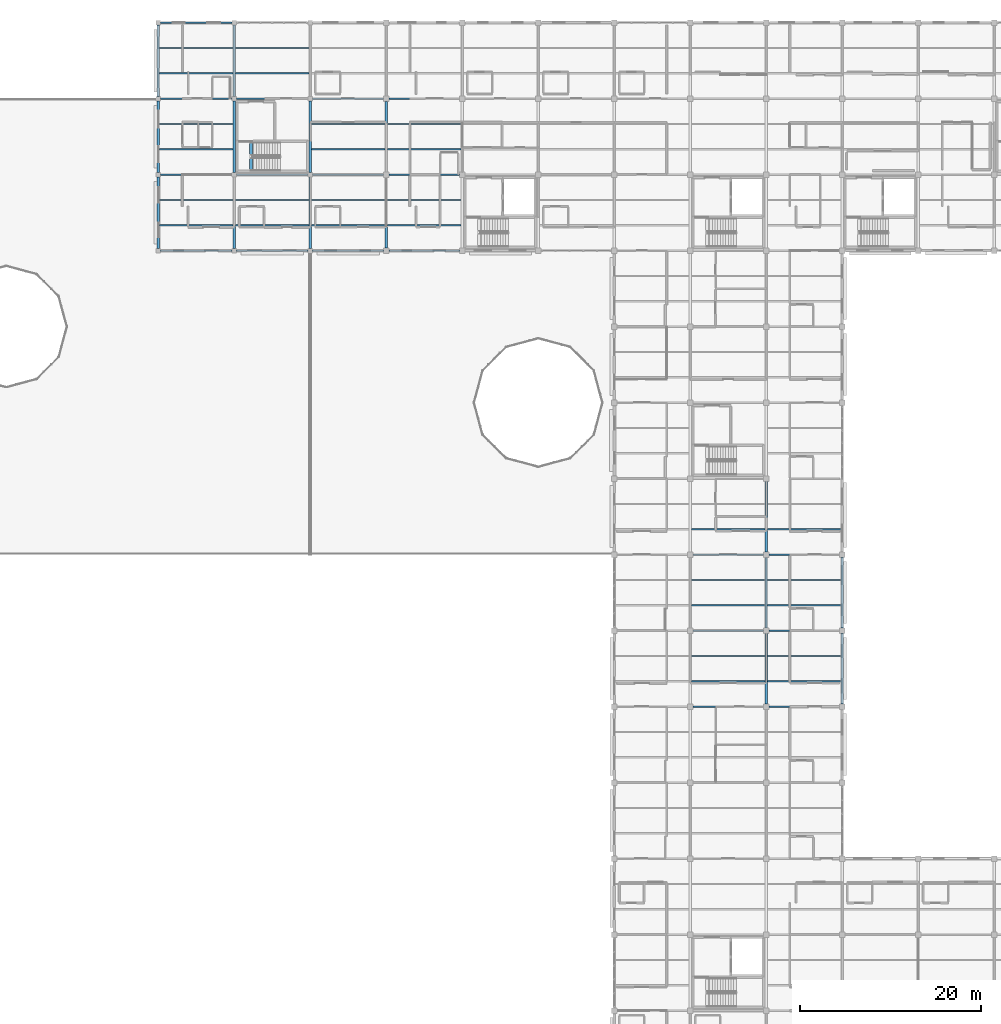
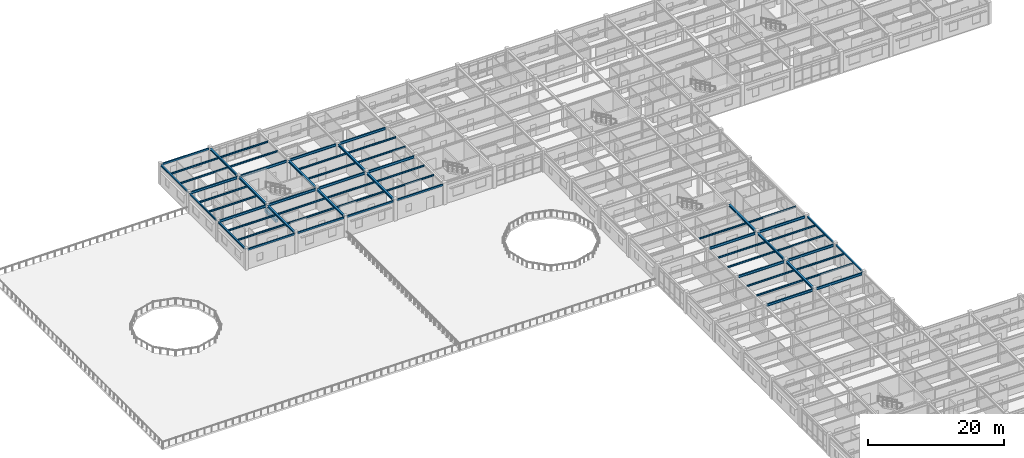
# One storey, part 13 of 86: 63 beams.
"""IFC4 building model written with IfcOpenShell, lengths in metres."""

from ifc_helpers import new_model, si_unit, direction, frame, origin, origin_2d, place, context, subcontext, project, spatial, rectangle, hollow_rectangle, i_section, extrude, material, material_profile, profile_set, type_object, element, save


model = new_model("IFC4")

# Units and contexts
model_context = context("Model", 3, precision=1e-05, world=origin(), true_north=direction((0.0, 1.0)))
body_context = subcontext(model_context, "Body", "Model", "MODEL_VIEW")
ifc_project = project(units=[si_unit("LENGTHUNIT", "METRE"), si_unit("AREAUNIT", "SQUARE_METRE"), si_unit("VOLUMEUNIT", "CUBIC_METRE"), si_unit("PLANEANGLEUNIT", "RADIAN"), si_unit("MASSUNIT", "GRAM", prefix="KILO")], contexts=[model_context])

# Site, building, storey
site_placement = place(None, origin())
site = spatial("IfcSite", under=ifc_project, at=site_placement, CompositionType="ELEMENT")
building_placement = place(site_placement, origin())
building = spatial("IfcBuilding", under=site, at=building_placement, Name="Bramfleet General Hospital", CompositionType="ELEMENT")
storey_placement = place(building_placement, frame((0.0, 0.0, 18.60009765625)))
storey = spatial("IfcBuildingStorey", under=building, at=storey_placement, Name="L04", CompositionType="ELEMENT", Elevation=18.60009765625)

# Beams
ifc_material_1 = material(Name="Steel S355", Category="steel")
ifc_material_profile_1 = material_profile(ifc_material_1, i_section(OverallWidth=0.239990234375, OverallDepth=0.22998046875, WebThickness=0.007568359375, FlangeThickness=0.011962890625, FilletRadius=0.02099609375, at=origin_2d()), Name="HEA 240")
ifc_profile_set_1 = profile_set([ifc_material_profile_1], Name="Steel S355")
beam_type_1 = type_object("IfcBeamType", Name="BM-HEA240", PredefinedType="SPANDREL", material=ifc_profile_set_1)
beam_1_placement = place(storey_placement, frame((42.0, 92.64990234375, 3.494873046875), z_axis=(0.0, 1.0, 0.0), x_axis=(-1.0, 0.0, 0.0)))
element("IfcBeam", 1, at=beam_1_placement, inside=storey, type_object=beam_type_1, Name="L04 Grid Beam Y 05-11", PredefinedType="SPANDREL", context=body_context, shape_type="SweptSolid", body=[
    extrude(i_section(OverallWidth=0.239990234375, OverallDepth=0.22998046875, WebThickness=0.007568359375, FlangeThickness=0.011962890625, FilletRadius=0.02099609375, at=origin_2d()), origin(), (0.0, 0.0, 1.0), 7.900146484375),
])
beam_2_placement = place(storey_placement, frame((42.0, 101.050048828125, 3.494873046875), z_axis=(0.0, 1.0, 0.0), x_axis=(-1.0, 0.0, 0.0)))
element("IfcBeam", 2, at=beam_2_placement, inside=storey, type_object=beam_type_1, Name="L04 Grid Beam Y 05-12", PredefinedType="SPANDREL", context=body_context, shape_type="SweptSolid", body=[
    extrude(i_section(OverallWidth=0.239990234375, OverallDepth=0.22998046875, WebThickness=0.007568359375, FlangeThickness=0.011962890625, FilletRadius=0.02099609375, at=origin_2d()), origin(), (0.0, 0.0, 1.0), 7.89990234375),
])
beam_3_placement = place(storey_placement, frame((42.0, 109.449951171875, 3.494873046875), z_axis=(0.0, 1.0, 0.0), x_axis=(-1.0, 0.0, 0.0)))
element("IfcBeam", 3, at=beam_3_placement, inside=storey, type_object=beam_type_1, Name="L04 Grid Beam Y 05-13", PredefinedType="SPANDREL", context=body_context, shape_type="SweptSolid", body=[
    extrude(i_section(OverallWidth=0.239990234375, OverallDepth=0.22998046875, WebThickness=0.007568359375, FlangeThickness=0.011962890625, FilletRadius=0.02099609375, at=origin_2d()), origin(), (0.0, 0.0, 1.0), 7.900146484375),
])
for number, where, z_axis, x_axis, name in (
    (4, (117.60009765625, 42.300048828125, 3.5048828125), (0.0, 1.0, 0.0), (-1.0, 0.0, 0.0), "L04 Grid Beam Y 14-05"),
    (5, (117.60009765625, 50.699951171875, 3.5048828125), (0.0, 1.0, 0.0), (-1.0, 0.0, 0.0), "L04 Grid Beam Y 14-06"),
):
    element("IfcBeam", number, at=place(storey_placement, frame(where, z_axis=z_axis, x_axis=x_axis)), inside=storey, type_object=beam_type_1, Name=name, PredefinedType="SPANDREL", context=body_context, shape_type="SweptSolid", body=[
        extrude(i_section(OverallWidth=0.239990234375, OverallDepth=0.22998046875, WebThickness=0.007568359375, FlangeThickness=0.011962890625, FilletRadius=0.02099609375, at=origin_2d()), origin(), (0.0, 0.0, 1.0), 7.800048828125),
    ])
ifc_material_profile_2 = material_profile(ifc_material_1, i_section(OverallWidth=0.300048828125, OverallDepth=0.35009765625, WebThickness=0.010009765625, FlangeThickness=0.017578125, FilletRadius=0.027099609375, at=origin_2d()), Name="HEA 360")
ifc_profile_set_2 = profile_set([ifc_material_profile_2], Name="Steel S355")
beam_type_2 = type_object("IfcBeamType", Name="BM-HEA360", PredefinedType="BEAM", material=ifc_profile_set_2)
beam_4_placement = place(storey_placement, frame((50.39990234375, 92.64990234375, 3.434814453125), z_axis=(0.0, 1.0, 0.0), x_axis=(-1.0, 0.0, 0.0)))
element("IfcBeam", 6, at=beam_4_placement, inside=storey, type_object=beam_type_2, Name="L04 Grid Beam Y 06-11", PredefinedType="BEAM", context=body_context, shape_type="SweptSolid", body=[
    extrude(i_section(OverallWidth=0.300048828125, OverallDepth=0.35009765625, WebThickness=0.010009765625, FlangeThickness=0.017578125, FilletRadius=0.027099609375, at=origin_2d()), origin(), (0.0, 0.0, 1.0), 7.900146484375),
])
beam_5_placement = place(storey_placement, frame((50.39990234375, 101.050048828125, 3.434814453125), z_axis=(0.0, 1.0, 0.0), x_axis=(-1.0, 0.0, 0.0)))
element("IfcBeam", 7, at=beam_5_placement, inside=storey, type_object=beam_type_2, Name="L04 Grid Beam Y 06-12", PredefinedType="BEAM", context=body_context, shape_type="SweptSolid", body=[
    extrude(i_section(OverallWidth=0.300048828125, OverallDepth=0.35009765625, WebThickness=0.010009765625, FlangeThickness=0.017578125, FilletRadius=0.027099609375, at=origin_2d()), origin(), (0.0, 0.0, 1.0), 7.89990234375),
])
for number, where, z_axis, x_axis, name in (
    (8, (50.39990234375, 109.449951171875, 3.434814453125), (0.0, 1.0, 0.0), (-1.0, 0.0, 0.0), "L04 Grid Beam Y 06-13"),
    (9, (58.800048828125, 92.64990234375, 3.44482421875), (0.0, 1.0, 0.0), (-1.0, 0.0, 0.0), "L04 Grid Beam Y 07-11"),
):
    element("IfcBeam", number, at=place(storey_placement, frame(where, z_axis=z_axis, x_axis=x_axis)), inside=storey, type_object=beam_type_2, Name=name, PredefinedType="BEAM", context=body_context, shape_type="SweptSolid", body=[
        extrude(i_section(OverallWidth=0.300048828125, OverallDepth=0.35009765625, WebThickness=0.010009765625, FlangeThickness=0.017578125, FilletRadius=0.027099609375, at=origin_2d()), origin(), (0.0, 0.0, 1.0), 7.900146484375),
    ])
beam_6_placement = place(storey_placement, frame((58.800048828125, 101.050048828125, 3.44482421875), z_axis=(0.0, 1.0, 0.0), x_axis=(-1.0, 0.0, 0.0)))
element("IfcBeam", 10, at=beam_6_placement, inside=storey, type_object=beam_type_2, Name="L04 Grid Beam Y 07-12", PredefinedType="BEAM", context=body_context, shape_type="SweptSolid", body=[
    extrude(i_section(OverallWidth=0.300048828125, OverallDepth=0.35009765625, WebThickness=0.010009765625, FlangeThickness=0.017578125, FilletRadius=0.027099609375, at=origin_2d()), origin(), (0.0, 0.0, 1.0), 7.89990234375),
])
beam_7_placement = place(storey_placement, frame((67.199951171875, 92.699951171875, 3.44482421875), z_axis=(0.0, 1.0, 0.0), x_axis=(-1.0, 0.0, 0.0)))
element("IfcBeam", 11, at=beam_7_placement, inside=storey, type_object=beam_type_2, Name="L04 Grid Beam Y 08-11", PredefinedType="BEAM", context=body_context, shape_type="SweptSolid", body=[
    extrude(i_section(OverallWidth=0.300048828125, OverallDepth=0.35009765625, WebThickness=0.010009765625, FlangeThickness=0.017578125, FilletRadius=0.027099609375, at=origin_2d()), origin(), (0.0, 0.0, 1.0), 7.800048828125),
])
beam_8_placement = place(storey_placement, frame((67.199951171875, 101.10009765625, 3.44482421875), z_axis=(0.0, 1.0, 0.0), x_axis=(-1.0, 0.0, 0.0)))
element("IfcBeam", 12, at=beam_8_placement, inside=storey, type_object=beam_type_2, Name="L04 Grid Beam Y 08-12", PredefinedType="BEAM", context=body_context, shape_type="SweptSolid", body=[
    extrude(i_section(OverallWidth=0.300048828125, OverallDepth=0.35009765625, WebThickness=0.010009765625, FlangeThickness=0.017578125, FilletRadius=0.027099609375, at=origin_2d()), origin(), (0.0, 0.0, 1.0), 7.7998046875),
])
for number, where, z_axis, x_axis, name in (
    (13, (109.199951171875, 42.300048828125, 3.44482421875), (0.0, 1.0, 0.0), (-1.0, 0.0, 0.0), "L04 Grid Beam Y 13-05"),
    (14, (109.199951171875, 50.699951171875, 3.44482421875), (0.0, 1.0, 0.0), (-1.0, 0.0, 0.0), "L04 Grid Beam Y 13-06"),
):
    element("IfcBeam", number, at=place(storey_placement, frame(where, z_axis=z_axis, x_axis=x_axis)), inside=storey, type_object=beam_type_2, Name=name, PredefinedType="BEAM", context=body_context, shape_type="SweptSolid", body=[
        extrude(i_section(OverallWidth=0.300048828125, OverallDepth=0.35009765625, WebThickness=0.010009765625, FlangeThickness=0.017578125, FilletRadius=0.027099609375, at=origin_2d()), origin(), (0.0, 0.0, 1.0), 7.800048828125),
    ])
beam_9_placement = place(storey_placement, frame((109.199951171875, 59.10009765625, 3.44482421875), z_axis=(0.0, 1.0, 0.0), x_axis=(-1.0, 0.0, 0.0)))
element("IfcBeam", 15, at=beam_9_placement, inside=storey, type_object=beam_type_2, Name="L04 Grid Beam Y 13-07", PredefinedType="BEAM", context=body_context, shape_type="SweptSolid", body=[
    extrude(i_section(OverallWidth=0.300048828125, OverallDepth=0.35009765625, WebThickness=0.010009765625, FlangeThickness=0.017578125, FilletRadius=0.027099609375, at=origin_2d()), origin(), (0.0, 0.0, 1.0), 7.7998046875),
])
ifc_material_profile_3 = material_profile(ifc_material_1, i_section(OverallWidth=0.14990234375, OverallDepth=0.300048828125, WebThickness=0.007080078125, FlangeThickness=0.0107421875, FilletRadius=0.014892578125, at=origin_2d()), Name="IPE 300")
ifc_profile_set_3 = profile_set([ifc_material_profile_3], Name="Steel S355")
beam_type_3 = type_object("IfcBeamType", Name="BM-IPE300", PredefinedType="JOIST", material=ifc_profile_set_3)
for number, where, z_axis, x_axis, name in (
    (16, (42.1201171875, 95.199951171875, 3.4599609375), (1.0, 0.0, 0.0), (0.0, 1.0, 0.0), "L04 Secondary Joist 05-11-1"),
    (17, (42.1201171875, 98.0, 3.4599609375), (1.0, 0.0, 0.0), (0.0, 1.0, 0.0), "L04 Secondary Joist 05-11-2"),
    (18, (42.1201171875, 103.60009765625, 3.4599609375), (1.0, 0.0, 0.0), (0.0, 1.0, 0.0), "L04 Secondary Joist 05-12-1"),
    (19, (42.1201171875, 106.39990234375, 3.4599609375), (1.0, 0.0, 0.0), (0.0, 1.0, 0.0), "L04 Secondary Joist 05-12-2"),
    (20, (42.1201171875, 112.0, 3.4599609375), (1.0, 0.0, 0.0), (0.0, 1.0, 0.0), "L04 Secondary Joist 05-13-1"),
    (21, (42.1201171875, 114.800048828125, 3.4599609375), (1.0, 0.0, 0.0), (0.0, 1.0, 0.0), "L04 Secondary Joist 05-13-2"),
):
    element("IfcBeam", number, at=place(storey_placement, frame(where, z_axis=z_axis, x_axis=x_axis)), inside=storey, type_object=beam_type_3, Name=name, PredefinedType="JOIST", context=body_context, shape_type="SweptSolid", body=[
        extrude(i_section(OverallWidth=0.14990234375, OverallDepth=0.300048828125, WebThickness=0.007080078125, FlangeThickness=0.0107421875, FilletRadius=0.014892578125, at=origin_2d()), origin(), (0.0, 0.0, 1.0), 8.1298828125),
    ])
for number, where, z_axis, x_axis, name in (
    (22, (50.550048828125, 95.199951171875, 3.469970703125), (1.0, 0.0, 0.0), (0.0, 1.0, 0.0), "L04 Secondary Joist 06-11-1"),
    (23, (50.550048828125, 98.0, 3.469970703125), (1.0, 0.0, 0.0), (0.0, 1.0, 0.0), "L04 Secondary Joist 06-11-2"),
    (24, (50.550048828125, 112.0, 3.469970703125), (1.0, 0.0, 0.0), (0.0, 1.0, 0.0), "L04 Secondary Joist 06-13-1"),
    (25, (50.550048828125, 114.800048828125, 3.469970703125), (1.0, 0.0, 0.0), (0.0, 1.0, 0.0), "L04 Secondary Joist 06-13-2"),
):
    element("IfcBeam", number, at=place(storey_placement, frame(where, z_axis=z_axis, x_axis=x_axis)), inside=storey, type_object=beam_type_3, Name=name, PredefinedType="JOIST", context=body_context, shape_type="SweptSolid", body=[
        extrude(i_section(OverallWidth=0.14990234375, OverallDepth=0.300048828125, WebThickness=0.007080078125, FlangeThickness=0.0107421875, FilletRadius=0.014892578125, at=origin_2d()), origin(), (0.0, 0.0, 1.0), 8.099853515625),
    ])
for number, where, z_axis, x_axis, name in (
    (26, (58.949951171875, 95.199951171875, 3.469970703125), (1.0, 0.0, 0.0), (0.0, 1.0, 0.0), "L04 Secondary Joist 07-11-1"),
    (27, (58.949951171875, 98.0, 3.469970703125), (1.0, 0.0, 0.0), (0.0, 1.0, 0.0), "L04 Secondary Joist 07-11-2"),
    (28, (58.949951171875, 103.60009765625, 3.469970703125), (1.0, 0.0, 0.0), (0.0, 1.0, 0.0), "L04 Secondary Joist 07-12-1"),
    (29, (58.949951171875, 106.39990234375, 3.469970703125), (1.0, 0.0, 0.0), (0.0, 1.0, 0.0), "L04 Secondary Joist 07-12-2"),
):
    element("IfcBeam", number, at=place(storey_placement, frame(where, z_axis=z_axis, x_axis=x_axis)), inside=storey, type_object=beam_type_3, Name=name, PredefinedType="JOIST", context=body_context, shape_type="SweptSolid", body=[
        extrude(i_section(OverallWidth=0.14990234375, OverallDepth=0.300048828125, WebThickness=0.007080078125, FlangeThickness=0.0107421875, FilletRadius=0.014892578125, at=origin_2d()), origin(), (0.0, 0.0, 1.0), 8.10009765625),
    ])
for number, where, z_axis, x_axis, name in (
    (30, (67.35009765625, 95.199951171875, 3.469970703125), (1.0, 0.0, 0.0), (0.0, 1.0, 0.0), "L04 Secondary Joist 08-11-1"),
    (31, (67.35009765625, 98.0, 3.469970703125), (1.0, 0.0, 0.0), (0.0, 1.0, 0.0), "L04 Secondary Joist 08-11-2"),
    (32, (67.35009765625, 103.60009765625, 3.469970703125), (1.0, 0.0, 0.0), (0.0, 1.0, 0.0), "L04 Secondary Joist 08-12-1"),
    (33, (67.35009765625, 106.39990234375, 3.469970703125), (1.0, 0.0, 0.0), (0.0, 1.0, 0.0), "L04 Secondary Joist 08-12-2"),
):
    element("IfcBeam", number, at=place(storey_placement, frame(where, z_axis=z_axis, x_axis=x_axis)), inside=storey, type_object=beam_type_3, Name=name, PredefinedType="JOIST", context=body_context, shape_type="SweptSolid", body=[
        extrude(i_section(OverallWidth=0.14990234375, OverallDepth=0.300048828125, WebThickness=0.007080078125, FlangeThickness=0.0107421875, FilletRadius=0.014892578125, at=origin_2d()), origin(), (0.0, 0.0, 1.0), 8.099853515625),
    ])
for number, where, z_axis, x_axis, name in (
    (34, (100.949951171875, 44.800048828125, 3.469970703125), (1.0, 0.0, 0.0), (0.0, 1.0, 0.0), "L04 Secondary Joist 12-05-1"),
    (35, (100.949951171875, 47.60009765625, 3.469970703125), (1.0, 0.0, 0.0), (0.0, 1.0, 0.0), "L04 Secondary Joist 12-05-2"),
    (36, (100.949951171875, 53.199951171875, 3.469970703125), (1.0, 0.0, 0.0), (0.0, 1.0, 0.0), "L04 Secondary Joist 12-06-1"),
    (37, (100.949951171875, 56.0, 3.469970703125), (1.0, 0.0, 0.0), (0.0, 1.0, 0.0), "L04 Secondary Joist 12-06-2"),
    (38, (100.949951171875, 61.60009765625, 3.469970703125), (1.0, 0.0, 0.0), (0.0, 1.0, 0.0), "L04 Secondary Joist 12-07-1"),
):
    element("IfcBeam", number, at=place(storey_placement, frame(where, z_axis=z_axis, x_axis=x_axis)), inside=storey, type_object=beam_type_3, Name=name, PredefinedType="JOIST", context=body_context, shape_type="SweptSolid", body=[
        extrude(i_section(OverallWidth=0.14990234375, OverallDepth=0.300048828125, WebThickness=0.007080078125, FlangeThickness=0.0107421875, FilletRadius=0.014892578125, at=origin_2d()), origin(), (0.0, 0.0, 1.0), 8.10009765625),
    ])
for number, where, z_axis, x_axis, name in (
    (39, (109.35009765625, 44.800048828125, 3.469970703125), (1.0, 0.0, 0.0), (0.0, 1.0, 0.0), "L04 Secondary Joist 13-05-1"),
    (40, (109.35009765625, 47.60009765625, 3.469970703125), (1.0, 0.0, 0.0), (0.0, 1.0, 0.0), "L04 Secondary Joist 13-05-2"),
    (41, (109.35009765625, 53.199951171875, 3.469970703125), (1.0, 0.0, 0.0), (0.0, 1.0, 0.0), "L04 Secondary Joist 13-06-1"),
    (42, (109.35009765625, 56.0, 3.469970703125), (1.0, 0.0, 0.0), (0.0, 1.0, 0.0), "L04 Secondary Joist 13-06-2"),
):
    element("IfcBeam", number, at=place(storey_placement, frame(where, z_axis=z_axis, x_axis=x_axis)), inside=storey, type_object=beam_type_3, Name=name, PredefinedType="JOIST", context=body_context, shape_type="SweptSolid", body=[
        extrude(i_section(OverallWidth=0.14990234375, OverallDepth=0.300048828125, WebThickness=0.007080078125, FlangeThickness=0.0107421875, FilletRadius=0.014892578125, at=origin_2d()), origin(), (0.0, 0.0, 1.0), 8.1298828125),
    ])
beam_10_placement = place(storey_placement, frame((109.35009765625, 61.60009765625, 3.469970703125), z_axis=(1.0, 0.0, 0.0), x_axis=(0.0, 1.0, 0.0)))
element("IfcBeam", 43, at=beam_10_placement, inside=storey, type_object=beam_type_3, Name="L04 Secondary Joist 13-07-1", PredefinedType="JOIST", context=body_context, shape_type="SweptSolid", body=[
    extrude(i_section(OverallWidth=0.14990234375, OverallDepth=0.300048828125, WebThickness=0.007080078125, FlangeThickness=0.0107421875, FilletRadius=0.014892578125, at=origin_2d()), origin(), (0.0, 0.0, 1.0), 8.099853515625),
])
ifc_material_profile_4 = material_profile(ifc_material_1, i_section(OverallWidth=0.18994140625, OverallDepth=0.449951171875, WebThickness=0.009521484375, FlangeThickness=0.0146484375, FilletRadius=0.02099609375, at=origin_2d()), Name="IPE 450")
ifc_profile_set_4 = profile_set([ifc_material_profile_4], Name="Steel S355")
beam_type_4 = type_object("IfcBeamType", Name="BM-IPE450", PredefinedType="BEAM", material=ifc_profile_set_4)
for number, where, z_axis, x_axis, name in (
    (44, (42.25, 100.800048828125, 3.385009765625), (1.0, 0.0, 0.0), (0.0, 1.0, 0.0), "L04 Grid Beam X 05-12"),
    (45, (42.25, 109.199951171875, 3.385009765625), (1.0, 0.0, 0.0), (0.0, 1.0, 0.0), "L04 Grid Beam X 05-13"),
):
    element("IfcBeam", number, at=place(storey_placement, frame(where, z_axis=z_axis, x_axis=x_axis)), inside=storey, type_object=beam_type_4, Name=name, PredefinedType="BEAM", context=body_context, shape_type="SweptSolid", body=[
        extrude(i_section(OverallWidth=0.18994140625, OverallDepth=0.449951171875, WebThickness=0.009521484375, FlangeThickness=0.0146484375, FilletRadius=0.02099609375, at=origin_2d()), origin(), (0.0, 0.0, 1.0), 7.89990234375),
    ])
for number, where, z_axis, x_axis, name in (
    (46, (50.64990234375, 100.800048828125, 3.39501953125), (1.0, 0.0, 0.0), (0.0, 1.0, 0.0), "L04 Grid Beam X 06-12"),
    (47, (50.64990234375, 109.199951171875, 3.39501953125), (1.0, 0.0, 0.0), (0.0, 1.0, 0.0), "L04 Grid Beam X 06-13"),
):
    element("IfcBeam", number, at=place(storey_placement, frame(where, z_axis=z_axis, x_axis=x_axis)), inside=storey, type_object=beam_type_4, Name=name, PredefinedType="BEAM", context=body_context, shape_type="SweptSolid", body=[
        extrude(i_section(OverallWidth=0.18994140625, OverallDepth=0.449951171875, WebThickness=0.009521484375, FlangeThickness=0.0146484375, FilletRadius=0.02099609375, at=origin_2d()), origin(), (0.0, 0.0, 1.0), 7.900146484375),
    ])
for number, where, z_axis, x_axis, name in (
    (48, (59.050048828125, 100.800048828125, 3.39501953125), (1.0, 0.0, 0.0), (0.0, 1.0, 0.0), "L04 Grid Beam X 07-12"),
    (49, (59.050048828125, 109.199951171875, 3.39501953125), (1.0, 0.0, 0.0), (0.0, 1.0, 0.0), "L04 Grid Beam X 07-13"),
):
    element("IfcBeam", number, at=place(storey_placement, frame(where, z_axis=z_axis, x_axis=x_axis)), inside=storey, type_object=beam_type_4, Name=name, PredefinedType="BEAM", context=body_context, shape_type="SweptSolid", body=[
        extrude(i_section(OverallWidth=0.18994140625, OverallDepth=0.449951171875, WebThickness=0.009521484375, FlangeThickness=0.0146484375, FilletRadius=0.02099609375, at=origin_2d()), origin(), (0.0, 0.0, 1.0), 7.849853515625),
    ])
for number, where, z_axis, x_axis, name in (
    (50, (67.5, 100.800048828125, 3.39501953125), (1.0, 0.0, 0.0), (0.0, 1.0, 0.0), "L04 Grid Beam X 08-12"),
    (51, (67.5, 109.199951171875, 3.39501953125), (1.0, 0.0, 0.0), (0.0, 1.0, 0.0), "L04 Grid Beam X 08-13"),
):
    element("IfcBeam", number, at=place(storey_placement, frame(where, z_axis=z_axis, x_axis=x_axis)), inside=storey, type_object=beam_type_4, Name=name, PredefinedType="BEAM", context=body_context, shape_type="SweptSolid", body=[
        extrude(i_section(OverallWidth=0.18994140625, OverallDepth=0.449951171875, WebThickness=0.009521484375, FlangeThickness=0.0146484375, FilletRadius=0.02099609375, at=origin_2d()), origin(), (0.0, 0.0, 1.0), 7.800048828125),
    ])
for number, where, z_axis, x_axis, name in (
    (52, (101.10009765625, 42.0, 3.39501953125), (1.0, 0.0, 0.0), (0.0, 1.0, 0.0), "L04 Grid Beam X 12-05"),
    (53, (101.10009765625, 50.39990234375, 3.39501953125), (1.0, 0.0, 0.0), (0.0, 1.0, 0.0), "L04 Grid Beam X 12-06"),
    (54, (101.10009765625, 58.800048828125, 3.39501953125), (1.0, 0.0, 0.0), (0.0, 1.0, 0.0), "L04 Grid Beam X 12-07"),
):
    element("IfcBeam", number, at=place(storey_placement, frame(where, z_axis=z_axis, x_axis=x_axis)), inside=storey, type_object=beam_type_4, Name=name, PredefinedType="BEAM", context=body_context, shape_type="SweptSolid", body=[
        extrude(i_section(OverallWidth=0.18994140625, OverallDepth=0.449951171875, WebThickness=0.009521484375, FlangeThickness=0.0146484375, FilletRadius=0.02099609375, at=origin_2d()), origin(), (0.0, 0.0, 1.0), 7.7998046875),
    ])
for number, where, z_axis, x_axis, name in (
    (55, (109.5, 42.0, 3.39501953125), (1.0, 0.0, 0.0), (0.0, 1.0, 0.0), "L04 Grid Beam X 13-05"),
    (56, (109.5, 50.39990234375, 3.39501953125), (1.0, 0.0, 0.0), (0.0, 1.0, 0.0), "L04 Grid Beam X 13-06"),
    (57, (109.5, 58.800048828125, 3.39501953125), (1.0, 0.0, 0.0), (0.0, 1.0, 0.0), "L04 Grid Beam X 13-07"),
):
    element("IfcBeam", number, at=place(storey_placement, frame(where, z_axis=z_axis, x_axis=x_axis)), inside=storey, type_object=beam_type_4, Name=name, PredefinedType="BEAM", context=body_context, shape_type="SweptSolid", body=[
        extrude(i_section(OverallWidth=0.18994140625, OverallDepth=0.449951171875, WebThickness=0.009521484375, FlangeThickness=0.0146484375, FilletRadius=0.02099609375, at=origin_2d()), origin(), (0.0, 0.0, 1.0), 7.800048828125),
    ])
ifc_material_2 = material(Name="Concrete C35/45", Category="concrete")
ifc_material_profile_5 = material_profile(ifc_material_2, rectangle(XDim=0.35009765625, YDim=0.550048828125, at=origin_2d()), Name="RC BM 550x350")
ifc_profile_set_5 = profile_set([ifc_material_profile_5], Name="Concrete C35/45")
beam_type_5 = type_object("IfcBeamType", Name="BM-RC550", PredefinedType="BEAM", material=ifc_profile_set_5)
beam_11_placement = place(storey_placement, frame((52.239990234375, 101.179931640625, -0.275146484375), z_axis=(0.0, 1.0, 0.0), x_axis=(-1.0, 0.0, 0.0)))
element("IfcBeam", 58, at=beam_11_placement, inside=storey, type_object=beam_type_5, Name="L04 C14 Stairwell Trimmer Beam", PredefinedType="BEAM", context=body_context, shape_type="SweptSolid", body=[
    extrude(rectangle(XDim=0.35009765625, YDim=0.550048828125, at=origin_2d()), origin(), (0.0, 0.0, 1.0), 3.320068359375),
])
ifc_material_profile_6 = material_profile(ifc_material_1, hollow_rectangle(XDim=0.199951171875, YDim=0.300048828125, WallThickness=0.012451171875, at=origin_2d()), Name="RHS 300x200x12.5")
ifc_profile_set_6 = profile_set([ifc_material_profile_6], Name="Steel S355")
beam_type_6 = type_object("IfcBeamType", Name="BM-RHS300", PredefinedType="SPANDREL", material=ifc_profile_set_6)
for number, where, z_axis, x_axis, name in (
    (59, (42.25, 92.39990234375, 3.4599609375), (1.0, 0.0, 0.0), (0.0, 1.0, 0.0), "L04 Grid Beam X 05-11"),
    (60, (42.25, 117.60009765625, 3.4599609375), (1.0, 0.0, 0.0), (0.0, 1.0, 0.0), "L04 Grid Beam X 05-14"),
):
    element("IfcBeam", number, at=place(storey_placement, frame(where, z_axis=z_axis, x_axis=x_axis)), inside=storey, type_object=beam_type_6, Name=name, PredefinedType="SPANDREL", context=body_context, shape_type="SweptSolid", body=[
        extrude(hollow_rectangle(XDim=0.199951171875, YDim=0.300048828125, WallThickness=0.012451171875, at=origin_2d()), origin(), (0.0, 0.0, 1.0), 7.89990234375),
    ])
beam_12_placement = place(storey_placement, frame((50.64990234375, 92.39990234375, 3.469970703125), z_axis=(1.0, 0.0, 0.0), x_axis=(0.0, 1.0, 0.0)))
element("IfcBeam", 61, at=beam_12_placement, inside=storey, type_object=beam_type_6, Name="L04 Grid Beam X 06-11", PredefinedType="SPANDREL", context=body_context, shape_type="SweptSolid", body=[
    extrude(hollow_rectangle(XDim=0.199951171875, YDim=0.300048828125, WallThickness=0.012451171875, at=origin_2d()), origin(), (0.0, 0.0, 1.0), 7.900146484375),
])
beam_13_placement = place(storey_placement, frame((59.050048828125, 92.39990234375, 3.469970703125), z_axis=(1.0, 0.0, 0.0), x_axis=(0.0, 1.0, 0.0)))
element("IfcBeam", 62, at=beam_13_placement, inside=storey, type_object=beam_type_6, Name="L04 Grid Beam X 07-11", PredefinedType="SPANDREL", context=body_context, shape_type="SweptSolid", body=[
    extrude(hollow_rectangle(XDim=0.199951171875, YDim=0.300048828125, WallThickness=0.012451171875, at=origin_2d()), origin(), (0.0, 0.0, 1.0), 7.849853515625),
])
beam_14_placement = place(storey_placement, frame((67.5, 92.39990234375, 3.469970703125), z_axis=(1.0, 0.0, 0.0), x_axis=(0.0, 1.0, 0.0)))
element("IfcBeam", 63, at=beam_14_placement, inside=storey, type_object=beam_type_6, Name="L04 Grid Beam X 08-11", PredefinedType="SPANDREL", context=body_context, shape_type="SweptSolid", body=[
    extrude(hollow_rectangle(XDim=0.199951171875, YDim=0.300048828125, WallThickness=0.012451171875, at=origin_2d()), origin(), (0.0, 0.0, 1.0), 7.800048828125),
])

save(model, "model.ifc")
